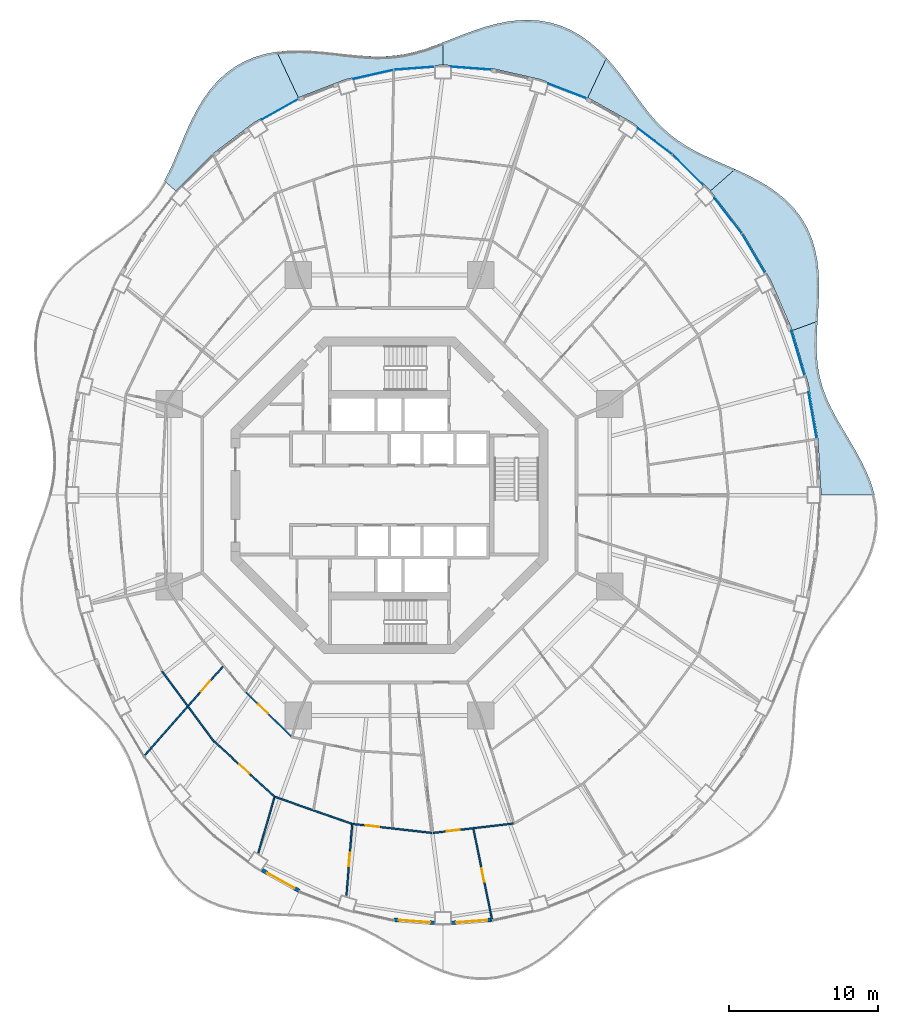
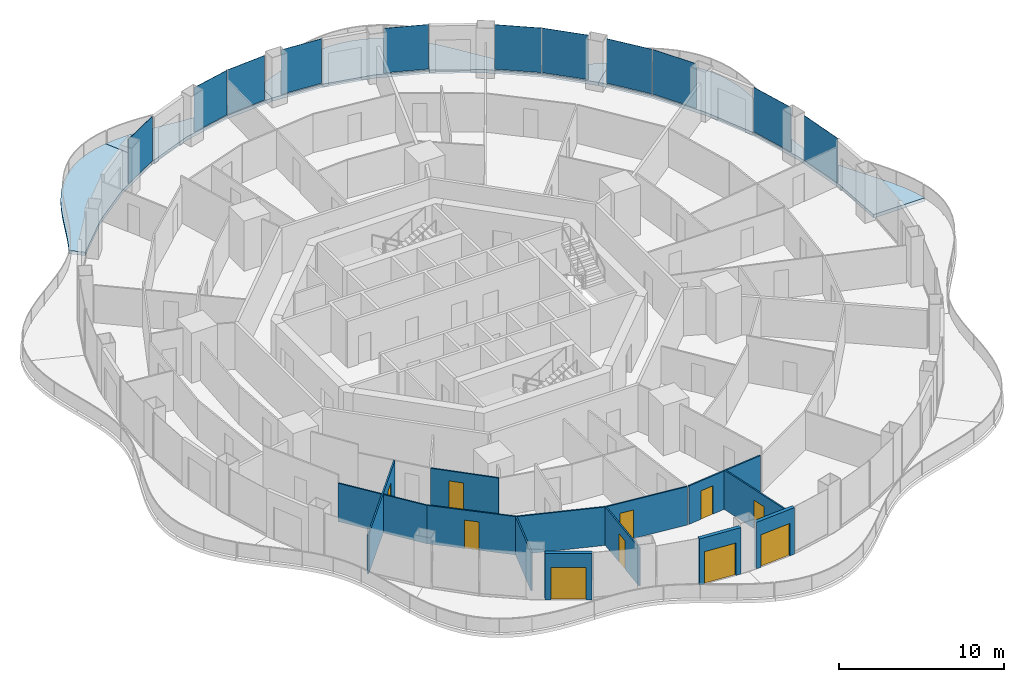
# One storey, part 10 of 19: 13 walls, 11 plates, 10 doors, 6 slabs, 10 openings, 11 elements without a shape of their own.
"""IFC4 building model written with IfcOpenShell, lengths in metres."""

from ifc_helpers import new_model, si_unit, direction, frame, frame_2d, origin, origin_2d, place, context, subcontext, project, spatial, polyline, rectangle, outline, extrude, material, layer, layer_set, type_object, element, fill, aggregate, save


model = new_model("IFC4")

# Units and contexts
model_context = context("Model", 3, precision=1e-05, world=origin(), true_north=direction((0.0, 1.0)))
body_context = subcontext(model_context, "Body", "Model", "MODEL_VIEW")
ifc_project = project(units=[si_unit("LENGTHUNIT", "METRE"), si_unit("AREAUNIT", "SQUARE_METRE"), si_unit("VOLUMEUNIT", "CUBIC_METRE"), si_unit("PLANEANGLEUNIT", "RADIAN"), si_unit("MASSUNIT", "GRAM", prefix="KILO")], contexts=[model_context])

# Site, building, storey
site_placement = place(None, origin())
site = spatial("IfcSite", under=ifc_project, at=site_placement, CompositionType="ELEMENT")
building_placement = place(site_placement, origin())
building = spatial("IfcBuilding", under=site, at=building_placement, Name="Nagisa Residences", CompositionType="ELEMENT")
storey_placement = place(building_placement, frame((0.0, 0.0, 180.699951171875)))
storey = spatial("IfcBuildingStorey", under=building, at=storey_placement, Name="L45", CompositionType="ELEMENT", Elevation=180.699951171875)

# Slabs
ifc_material_1 = material(Name="Concrete C40/50", Category="concrete")
ifc_layer_1 = layer(ifc_material_1, 0.25)
ifc_layer_set_1 = layer_set([ifc_layer_1], Name="BALCONY SLAB 250")
slab_type = type_object("IfcSlabType", Name="BALCONY SLAB 250", PredefinedType="FLOOR", material=ifc_layer_set_1)
slab_1_placement = place(storey_placement, frame((0.0, 0.0, -0.25)))
element("IfcSlab", 1, at=slab_1_placement, inside=storey, type_object=slab_type, Name="slab:L45:bal00", PredefinedType="FLOOR", context=body_context, shape_type="SweptSolid", body=[
    extrude(outline(polyline([(32.568603515625, 0.0), (32.332275390625, 0.77685546875), (32.024658203125, 1.541015625), (31.6611328125, 2.2900390625), (31.260009765625, 3.022216796875), (30.84033203125, 3.738037109375), (30.421630859375, 4.439208984375), (30.02197265625, 5.129150390625), (29.657470703125, 5.8125), (29.34130859375, 6.49462890625), (29.0830078125, 7.181640625), (28.8876953125, 7.879150390625), (28.755859375, 8.592529296875), (28.683837890625, 9.325927734375), (28.663330078125, 10.08203125), (28.682373046875, 10.861328125), (28.726318359375, 11.66259765625), (27.04345703125, 11.050048828125), (28.1103515625, 7.473388671875), (28.7578125, 3.76904296875), (28.97509765625, 0.0), (32.568603515625, 0.0)])), origin(), (0.0, 0.0, 1.0), 0.25),
])
slab_2_placement = place(storey_placement, frame((0.0, 0.0, -0.25)))
element("IfcSlab", 2, at=slab_2_placement, inside=storey, type_object=slab_type, Name="slab:L45:bal01", PredefinedType="FLOOR", context=body_context, shape_type="SweptSolid", body=[
    extrude(outline(polyline([(28.726318359375, 11.66259765625), (28.776123046875, 12.456787109375), (28.81689453125, 13.263427734375), (28.83154296875, 14.075927734375), (28.8046875, 14.885986328125), (28.72216796875, 15.68505859375), (28.572265625, 16.464111328125), (28.346435546875, 17.213623046875), (28.039794921875, 17.92529296875), (27.65087890625, 18.592529296875), (27.181884765625, 19.209716796875), (26.638916015625, 19.77392578125), (26.030517578125, 20.28466796875), (25.36865234375, 20.743896484375), (24.666259765625, 21.156494140625), (23.937744140625, 21.529541015625), (23.197998046875, 21.872314453125), (21.542724609375, 20.417724609375), (23.7314453125, 17.577880859375), (25.575439453125, 14.4375), (27.04345703125, 11.050048828125), (28.726318359375, 11.66259765625)])), origin(), (0.0, 0.0, 1.0), 0.25),
])
slab_3_placement = place(storey_placement, frame((0.0, 0.0, -0.25)))
element("IfcSlab", 3, at=slab_3_placement, inside=storey, type_object=slab_type, Name="slab:L45:bal02", PredefinedType="FLOOR", context=body_context, shape_type="SweptSolid", body=[
    extrude(outline(polyline([(23.197998046875, 21.872314453125), (22.494873046875, 22.1806640625), (21.804931640625, 22.482177734375), (21.137451171875, 22.786865234375), (20.499267578125, 23.10546875), (19.894775390625, 23.447265625), (19.326416015625, 23.820556640625), (18.79345703125, 24.2314453125), (18.292724609375, 24.683837890625), (17.81884765625, 25.178466796875), (17.364990234375, 25.7138671875), (16.922607421875, 26.284912109375), (16.482421875, 26.884521484375), (16.03515625, 27.502685546875), (15.57177734375, 28.12744140625), (15.084228515625, 28.744873046875), (14.56640625, 29.341064453125), (13.310546875, 26.677001953125), (16.28759765625, 25.006591796875), (19.04736328125, 22.907958984375), (21.542724609375, 20.417724609375), (23.197998046875, 21.872314453125)])), origin(), (0.0, 0.0, 1.0), 0.25),
])
slab_4_placement = place(storey_placement, frame((0.0, 0.0, -0.25)))
element("IfcSlab", 4, at=slab_4_placement, inside=storey, type_object=slab_type, Name="slab:L45:bal03", PredefinedType="FLOOR", context=body_context, shape_type="SweptSolid", body=[
    extrude(outline(polyline([(14.56640625, 29.341064453125), (14.033447265625, 29.8818359375), (13.46533203125, 30.376708984375), (12.86083984375, 30.814453125), (12.221435546875, 31.18505859375), (11.549560546875, 31.4814453125), (10.85009765625, 31.6982421875), (10.128173828125, 31.833740234375), (9.390380859375, 31.888671875), (8.642822265625, 31.866943359375), (7.892578125, 31.775390625), (7.145751953125, 31.622802734375), (6.4072265625, 31.421142578125), (5.681640625, 31.1826171875), (4.97119140625, 30.92138671875), (4.277587890625, 30.6513671875), (3.60009765625, 30.38623046875), (3.60009765625, 28.875), (6.912109375, 28.6279296875), (10.16748046875, 27.89111328125), (13.310546875, 26.677001953125), (14.56640625, 29.341064453125)])), origin(), (0.0, 0.0, 1.0), 0.25),
])
slab_5_placement = place(storey_placement, frame((0.0, 0.0, -0.25)))
element("IfcSlab", 5, at=slab_5_placement, inside=storey, type_object=slab_type, Name="slab:L45:bal04", PredefinedType="FLOOR", context=body_context, shape_type="SweptSolid", body=[
    extrude(outline(polyline([(3.60009765625, 30.38623046875), (2.93701171875, 30.13818359375), (2.28515625, 29.91845703125), (1.640869140625, 29.735107421875), (0.998779296875, 29.594482421875), (0.354248046875, 29.49951171875), (-0.2978515625, 29.4501953125), (-0.961669921875, 29.443603515625), (-1.640625, 29.473876953125), (-2.33740234375, 29.53271484375), (-3.05224609375, 29.60986328125), (-3.7841796875, 29.693115234375), (-4.531005859375, 29.76953125), (-5.288330078125, 29.826416015625), (-6.050537109375, 29.8505859375), (-6.81103515625, 29.83056640625), (-7.561767578125, 29.755859375), (-6.110595703125, 26.677001953125), (-2.967529296875, 27.89111328125), (0.287841796875, 28.6279296875), (3.60009765625, 28.875), (3.60009765625, 30.38623046875)])), origin(), (0.0, 0.0, 1.0), 0.25),
])
slab_6_placement = place(storey_placement, frame((0.0, 0.0, -0.25)))
element("IfcSlab", 6, at=slab_6_placement, inside=storey, type_object=slab_type, Name="slab:L45:bal05", PredefinedType="FLOOR", context=body_context, shape_type="SweptSolid", body=[
    extrude(outline(polyline([(-7.561767578125, 29.755859375), (-8.322265625, 29.61181640625), (-9.054931640625, 29.3935546875), (-9.751708984375, 29.09765625), (-10.40576171875, 28.723876953125), (-11.011474609375, 28.275146484375), (-11.5654296875, 27.756591796875), (-12.066650390625, 27.177001953125), (-12.516357421875, 26.54638671875), (-12.91845703125, 25.87646484375), (-13.279052734375, 25.179931640625), (-13.6064453125, 24.46923828125), (-13.91015625, 23.757080078125), (-14.200927734375, 23.054443359375), (-14.490478515625, 22.371337890625), (-14.789794921875, 21.715087890625), (-15.109619140625, 21.091552734375), (-14.3427734375, 20.417724609375), (-11.847412109375, 22.907958984375), (-9.08740234375, 25.006591796875), (-6.110595703125, 26.677001953125), (-7.561767578125, 29.755859375)])), origin(), (0.0, 0.0, 1.0), 0.25),
])

# Curtain wall, plate
ifc_material_2 = material(Name="Concrete-coloured aluminium curtain wall system", Category="concrete")
ifc_layer_2 = layer(ifc_material_2, 0.159912109375)
ifc_layer_set_2 = layer_set([ifc_layer_2], Name="CW1 CURTAIN WALL")
curtain_wall_type = type_object("IfcCurtainWallType", Name="CW1 CURTAIN WALL", PredefinedType="NOTDEFINED", material=ifc_layer_set_2)
curtain_wall_1_placement = place(storey_placement, origin())
curtain_wall_1 = element("IfcCurtainWall", 7, at=curtain_wall_1_placement, inside=storey, type_object=curtain_wall_type, Name="cw:CW1:L45:01", PredefinedType="NOTDEFINED")
ifc_material_3 = material(Name="Clear laminated glass", Category="glass")
ifc_layer_3 = layer(ifc_material_3, 0.028076171875)
ifc_layer_set_3 = layer_set([ifc_layer_3], Name="CW1 GLASS PANEL")
plate_type = type_object("IfcPlateType", Name="CW1 GLASS PANEL", PredefinedType="CURTAIN_PANEL", material=ifc_layer_set_3)
plate_1_placement = place(storey_placement, frame((28.3974609375, 5.365966796875, 0.150146484375), z_axis=(0.0, 0.0, 1.0), x_axis=(-0.172190868898, 0.985063604377, 0.0)))
plate_1 = element("IfcPlate", 8, at=plate_1_placement, type_object=plate_type, Name="CW1 panel", PredefinedType="CURTAIN_PANEL", context=body_context, shape_type="SweptSolid", body=[
    extrude(rectangle(XDim=3.150634765625, YDim=0.028076171875, at=origin_2d()), origin(), (0.0, 0.0, 1.0), 3.2900390625),
])
aggregate(curtain_wall_1, [plate_1])

curtain_wall_2_placement = place(storey_placement, origin())
curtain_wall_2 = element("IfcCurtainWall", 9, at=curtain_wall_2_placement, inside=storey, type_object=curtain_wall_type, Name="cw:CW1:L45:02", PredefinedType="NOTDEFINED")
plate_2_placement = place(storey_placement, frame((27.4130859375, 9.531005859375, 0.150146484375), z_axis=(0.0, 0.0, 1.0), x_axis=(-0.285860274038, 0.958271310082, 0.0)))
plate_2 = element("IfcPlate", 10, at=plate_2_placement, type_object=plate_type, Name="CW1 panel", PredefinedType="CURTAIN_PANEL", context=body_context, shape_type="SweptSolid", body=[
    extrude(rectangle(XDim=3.122314453125, YDim=0.028076171875, at=origin_2d()), origin(), (0.0, 0.0, 1.0), 3.2900390625),
])
aggregate(curtain_wall_2, [plate_2])

curtain_wall_3_placement = place(storey_placement, origin())
curtain_wall_3 = element("IfcCurtainWall", 11, at=curtain_wall_3_placement, inside=storey, type_object=curtain_wall_type, Name="cw:CW1:L45:04", PredefinedType="NOTDEFINED")
plate_3_placement = place(storey_placement, frame((24.429931640625, 16.230224609375, 0.150146484375), z_axis=(0.0, 0.0, 1.0), x_axis=(-0.506348567002, 0.862328898214, 0.0)))
plate_3 = element("IfcPlate", 12, at=plate_3_placement, type_object=plate_type, Name="CW1 panel", PredefinedType="CURTAIN_PANEL", context=body_context, shape_type="SweptSolid", body=[
    extrude(rectangle(XDim=3.031982421875, YDim=0.028076171875, at=origin_2d()), origin(), (0.0, 0.0, 1.0), 3.2900390625),
])
aggregate(curtain_wall_3, [plate_3])

curtain_wall_4_placement = place(storey_placement, origin())
curtain_wall_4 = element("IfcCurtainWall", 13, at=curtain_wall_4_placement, inside=storey, type_object=curtain_wall_type, Name="cw:CW1:L45:05", PredefinedType="NOTDEFINED")
plate_4_placement = place(storey_placement, frame((22.723388671875, 18.7548828125, 0.150146484375), z_axis=(0.0, 0.0, 1.0), x_axis=(-0.610429828235, 0.792070340816, 0.0)))
plate_4 = element("IfcPlate", 14, at=plate_4_placement, type_object=plate_type, Name="CW1 panel", PredefinedType="CURTAIN_PANEL", context=body_context, shape_type="SweptSolid", body=[
    extrude(rectangle(XDim=2.97509765625, YDim=0.028076171875, at=origin_2d()), origin(), (0.0, 0.0, 1.0), 3.2900390625),
])
aggregate(curtain_wall_4, [plate_4])

curtain_wall_5_placement = place(storey_placement, origin())
curtain_wall_5 = element("IfcCurtainWall", 15, at=curtain_wall_5_placement, inside=storey, type_object=curtain_wall_type, Name="cw:CW1:L45:06", PredefinedType="NOTDEFINED")
plate_5_placement = place(storey_placement, frame((20.022705078125, 21.82177734375, 0.150146484375), z_axis=(0.0, 0.0, 1.0), x_axis=(-0.707835924016, 0.706376885714, 0.0)))
plate_5 = element("IfcPlate", 16, at=plate_5_placement, type_object=plate_type, Name="CW1 panel", PredefinedType="CURTAIN_PANEL", context=body_context, shape_type="SweptSolid", body=[
    extrude(rectangle(XDim=2.91552734375, YDim=0.028076171875, at=origin_2d()), origin(), (0.0, 0.0, 1.0), 3.2900390625),
])
aggregate(curtain_wall_5, [plate_5])

curtain_wall_6_placement = place(storey_placement, origin())
curtain_wall_6 = element("IfcCurtainWall", 17, at=curtain_wall_6_placement, inside=storey, type_object=curtain_wall_type, Name="cw:CW1:L45:07", PredefinedType="NOTDEFINED")
plate_6_placement = place(storey_placement, frame((17.81396484375, 23.745361328125, 0.150146484375), z_axis=(0.0, 0.0, 1.0), x_axis=(-0.79603132756, 0.605255421737, 0.0)))
plate_6 = element("IfcPlate", 18, at=plate_6_placement, type_object=plate_type, Name="CW1 panel", PredefinedType="CURTAIN_PANEL", context=body_context, shape_type="SweptSolid", body=[
    extrude(rectangle(XDim=2.85693359375, YDim=0.028076171875, at=origin_2d()), origin(), (0.0, 0.0, 1.0), 3.2900390625),
])
aggregate(curtain_wall_6, [plate_6])

curtain_wall_7_placement = place(storey_placement, origin())
curtain_wall_7 = element("IfcCurtainWall", 19, at=curtain_wall_7_placement, inside=storey, type_object=curtain_wall_type, Name="cw:CW1:L45:09", PredefinedType="NOTDEFINED")
plate_7_placement = place(storey_placement, frame((11.938720703125, 27.12109375, 0.150146484375), z_axis=(0.0, 0.0, 1.0), x_axis=(-0.932825759707, 0.360327770268, 0.0)))
plate_7 = element("IfcPlate", 20, at=plate_7_placement, type_object=plate_type, Name="CW1 panel", PredefinedType="CURTAIN_PANEL", context=body_context, shape_type="SweptSolid", body=[
    extrude(rectangle(XDim=2.75927734375, YDim=0.028076171875, at=origin_2d()), origin(), (0.0, 0.0, 1.0), 3.2900390625),
])
aggregate(curtain_wall_7, [plate_7])

curtain_wall_8_placement = place(storey_placement, origin())
curtain_wall_8 = element("IfcCurtainWall", 21, at=curtain_wall_8_placement, inside=storey, type_object=curtain_wall_type, Name="cw:CW1:L45:11", PredefinedType="NOTDEFINED")
plate_8_placement = place(storey_placement, frame((5.494384765625, 28.653564453125, 0.150146484375), z_axis=(0.0, 0.0, 1.0), x_axis=(-0.997230168512, 0.074377355493, 0.0)))
plate_8 = element("IfcPlate", 22, at=plate_8_placement, type_object=plate_type, Name="CW1 panel", PredefinedType="CURTAIN_PANEL", context=body_context, shape_type="SweptSolid", body=[
    extrude(rectangle(XDim=2.711181640625, YDim=0.028076171875, at=origin_2d()), origin(), (0.0, 0.0, 1.0), 3.2900390625),
])
aggregate(curtain_wall_8, [plate_8])

curtain_wall_9_placement = place(storey_placement, origin())
curtain_wall_9 = element("IfcCurtainWall", 23, at=curtain_wall_9_placement, inside=storey, type_object=curtain_wall_type, Name="cw:CW1:L45:12", PredefinedType="NOTDEFINED")
plate_9_placement = place(storey_placement, frame((1.645751953125, 28.64892578125, 0.150146484375), z_axis=(0.0, 0.0, 1.0), x_axis=(-0.997230168512, -0.074377355493, 0.0)))
plate_9 = element("IfcPlate", 24, at=plate_9_placement, type_object=plate_type, Name="CW1 panel", PredefinedType="CURTAIN_PANEL", context=body_context, shape_type="SweptSolid", body=[
    extrude(rectangle(XDim=2.711181640625, YDim=0.028076171875, at=origin_2d()), origin(), (0.0, 0.0, 1.0), 3.2900390625),
])
aggregate(curtain_wall_9, [plate_9])

curtain_wall_10_placement = place(storey_placement, origin())
curtain_wall_10 = element("IfcCurtainWall", 25, at=curtain_wall_10_placement, inside=storey, type_object=curtain_wall_type, Name="cw:CW1:L45:13", PredefinedType="NOTDEFINED")
plate_10_placement = place(storey_placement, frame((-1.083251953125, 28.235595703125, 0.150146484375), z_axis=(0.0, 0.0, 1.0), x_axis=(-0.975327274089, -0.2207639201, 0.0)))
plate_10 = element("IfcPlate", 26, at=plate_10_placement, type_object=plate_type, Name="CW1 panel", PredefinedType="CURTAIN_PANEL", context=body_context, shape_type="SweptSolid", body=[
    extrude(rectangle(XDim=2.727783203125, YDim=0.028076171875, at=origin_2d()), origin(), (0.0, 0.0, 1.0), 3.2900390625),
])
aggregate(curtain_wall_10, [plate_10])

curtain_wall_11_placement = place(storey_placement, origin())
curtain_wall_11 = element("IfcCurtainWall", 27, at=curtain_wall_11_placement, inside=storey, type_object=curtain_wall_type, Name="cw:CW1:L45:15", PredefinedType="NOTDEFINED")
plate_11_placement = place(storey_placement, frame((-7.34619140625, 25.891845703125, 0.150146484375), z_axis=(0.0, 0.0, 1.0), x_axis=(-0.872072377523, -0.489376918501, 0.0)))
plate_11 = element("IfcPlate", 28, at=plate_11_placement, type_object=plate_type, Name="CW1 panel", PredefinedType="CURTAIN_PANEL", context=body_context, shape_type="SweptSolid", body=[
    extrude(rectangle(XDim=2.8037109375, YDim=0.028076171875, at=origin_2d()), origin(), (0.0, 0.0, 1.0), 3.2900390625),
])
aggregate(curtain_wall_11, [plate_11])

# Wall
ifc_material_4 = material(Name="Gypsum board on steel studs", Category="steel")
ifc_layer_4 = layer(ifc_material_4, 0.10009765625)
ifc_layer_set_4 = layer_set([ifc_layer_4], Name="Apartment partition 100")
wall_type_1 = type_object("IfcWallType", Name="Apartment partition 100", PredefinedType="PARTITIONING", material=ifc_layer_set_4)
wall_1_placement = place(storey_placement, frame((-15.264892578125, -11.821044921875, 0.0), z_axis=(0.0, 0.0, 1.0), x_axis=(0.594711348772, -0.803939308432, 0.0)))
element("IfcWall", 29, at=wall_1_placement, inside=storey, type_object=wall_type_1, Name="wall:L45:u59", PredefinedType="PARTITIONING", context=body_context, shape_type="SweptSolid", body=[
    extrude(rectangle(XDim=5.87158203125, YDim=0.10009765625, at=frame_2d((2.935791015625, 0.0))), origin(), (0.0, 0.0, 1.0), 2.837158203125),
])

# Wall, opening, door
wall_2_placement = place(storey_placement, frame((-11.16015625, -11.485107421875, 0.0), z_axis=(0.0, 0.0, 1.0), x_axis=(-0.661275898802, -0.750142776852, 0.0)))
wall_2 = element("IfcWall", 30, at=wall_2_placement, inside=storey, type_object=wall_type_1, Name="wall:L45:u60", PredefinedType="PARTITIONING", context=body_context, shape_type="SweptSolid", body=[
    extrude(rectangle(XDim=8.08251953125, YDim=0.10009765625, at=frame_2d((4.041259765625, 0.0))), origin(), (0.0, 0.0, 1.0), 2.905029296875),
])
opening_1_placement = place(wall_2_placement, frame((1.34130859375, 0.0, 0.0)))
opening_1 = element("IfcOpeningElement", 31, at=opening_1_placement, cuts=wall_2, Name="Opening L45-U34", PredefinedType="OPENING", context=body_context, shape_type="SweptSolid", body=[
    extrude(rectangle(XDim=0.89990234375, YDim=2.10009765625, at=frame_2d((0.449951171875, 1.050048828125))), frame((0.0, 0.06005859375, 0.0), z_axis=(0.0, -1.0, 0.0), x_axis=(1.0, 0.0, 0.0)), (0.0, 0.0, 1.0), 0.1201171875),
])
ifc_material_5 = material(Name="Timber door set", Category="wood")
door_type_1 = type_object("IfcDoorType", Name="Apartment door 900x2100", OperationType="NOTDEFINED", PredefinedType="DOOR", material=ifc_material_5)
door_1_placement = place(opening_1_placement, frame((0.89990234375, 0.0, 0.0), x_axis=(-1.0, 0.0, 0.0)))
door_1 = element("IfcDoor", 32, at=door_1_placement, inside=storey, type_object=door_type_1, Name="Door to dining room, Apartment 45B", OperationType="SINGLE_SWING_LEFT", OverallHeight=2.10009765625, OverallWidth=0.89990234375, PredefinedType="DOOR", context=body_context, shape_type="SweptSolid", body=[
    extrude(rectangle(XDim=0.89990234375, YDim=2.10009765625, at=frame_2d((0.449951171875, 1.050048828125))), frame((0.0, 0.02490234375, 0.0), z_axis=(0.0, -1.0, 0.0), x_axis=(1.0, 0.0, 0.0)), (0.0, 0.0, 1.0), 0.050048828125),
])
fill(opening_1, door_1)

wall_3_placement = place(storey_placement, frame((-9.62744140625, -13.238037109375, 0.0), z_axis=(0.0, 0.0, 1.0), x_axis=(0.716946269374, -0.697128429223, 0.0)))
wall_3 = element("IfcWall", 33, at=wall_3_placement, inside=storey, type_object=wall_type_1, Name="wall:L45:u62", PredefinedType="PARTITIONING", context=body_context, shape_type="SweptSolid", body=[
    extrude(rectangle(XDim=4.250244140625, YDim=0.10009765625, at=frame_2d((2.125, 0.0))), origin(), (0.0, 0.0, 1.0), 2.837158203125),
])
opening_2_placement = place(wall_3_placement, frame((1.14501953125, 0.0, 0.0)))
opening_2 = element("IfcOpeningElement", 34, at=opening_2_placement, cuts=wall_3, Name="Opening L45-U33", PredefinedType="OPENING", context=body_context, shape_type="SweptSolid", body=[
    extrude(rectangle(XDim=0.89990234375, YDim=2.10009765625, at=frame_2d((0.449951171875, 1.050048828125))), frame((0.0, 0.06005859375, 0.0), z_axis=(0.0, -1.0, 0.0), x_axis=(1.0, 0.0, 0.0)), (0.0, 0.0, 1.0), 0.1201171875),
])
door_2_placement = place(opening_2_placement, origin())
door_2 = element("IfcDoor", 35, at=door_2_placement, inside=storey, type_object=door_type_1, Name="Door to laundry, Apartment 45B", OperationType="SINGLE_SWING_LEFT", OverallHeight=2.10009765625, OverallWidth=0.89990234375, PredefinedType="DOOR", context=body_context, shape_type="SweptSolid", body=[
    extrude(rectangle(XDim=0.89990234375, YDim=2.10009765625, at=frame_2d((0.449951171875, 1.050048828125))), frame((0.0, 0.02490234375, 0.0), z_axis=(0.0, -1.0, 0.0), x_axis=(1.0, 0.0, 0.0)), (0.0, 0.0, 1.0), 0.050048828125),
])
fill(opening_2, door_2)

wall_4_placement = place(storey_placement, frame((-11.765625, -16.534912109375, 0.0), z_axis=(0.0, 0.0, 1.0), x_axis=(0.738053852169, -0.674741810842, 0.0)))
wall_4 = element("IfcWall", 36, at=wall_4_placement, inside=storey, type_object=wall_type_1, Name="wall:L45:u63", PredefinedType="PARTITIONING", context=body_context, shape_type="SweptSolid", body=[
    extrude(rectangle(XDim=5.549072265625, YDim=0.10009765625, at=frame_2d((2.7744140625, 0.0))), origin(), (0.0, 0.0, 1.0), 2.837158203125),
])
opening_3_placement = place(wall_4_placement, frame((2.299560546875, 0.0, 0.0)))
opening_3 = element("IfcOpeningElement", 37, at=opening_3_placement, cuts=wall_4, Name="Opening L45-U31", PredefinedType="OPENING", context=body_context, shape_type="SweptSolid", body=[
    extrude(rectangle(XDim=0.89990234375, YDim=2.10009765625, at=frame_2d((0.449951171875, 1.050048828125))), frame((0.0, 0.06005859375, 0.0), z_axis=(0.0, -1.0, 0.0), x_axis=(1.0, 0.0, 0.0)), (0.0, 0.0, 1.0), 0.1201171875),
])
door_3_placement = place(opening_3_placement, frame((0.89990234375, 0.0, 0.0), x_axis=(-1.0, 0.0, 0.0)))
door_3 = element("IfcDoor", 38, at=door_3_placement, inside=storey, type_object=door_type_1, Name="Door to kitchen, Apartment 45B", OperationType="SINGLE_SWING_RIGHT", OverallHeight=2.10009765625, OverallWidth=0.89990234375, PredefinedType="DOOR", context=body_context, shape_type="SweptSolid", body=[
    extrude(rectangle(XDim=0.89990234375, YDim=2.10009765625, at=frame_2d((0.449951171875, 1.050048828125))), frame((0.0, 0.02490234375, 0.0), z_axis=(0.0, -1.0, 0.0), x_axis=(1.0, 0.0, 0.0)), (0.0, 0.0, 1.0), 0.050048828125),
])
fill(opening_3, door_3)

# Walls
wall_5_placement = place(storey_placement, frame((-7.720947265625, -20.293212890625, 0.0), z_axis=(0.0, 0.0, 1.0), x_axis=(-0.278445616281, -0.960451997121, 0.0)))
element("IfcWall", 39, at=wall_5_placement, inside=storey, type_object=wall_type_1, Name="wall:L45:u67", PredefinedType="PARTITIONING", context=body_context, shape_type="SweptSolid", body=[
    extrude(rectangle(XDim=3.885009765625, YDim=0.10009765625, at=frame_2d((1.9423828125, 0.0))), origin(), (0.0, 0.0, 1.0), 2.837158203125),
])
wall_6_placement = place(storey_placement, frame((-7.659912109375, -20.26171875, 0.0), z_axis=(0.0, 0.0, 1.0), x_axis=(0.943911038661, -0.330199865375, 0.0)))
element("IfcWall", 40, at=wall_6_placement, inside=storey, type_object=wall_type_1, Name="wall:L45:u68", PredefinedType="PARTITIONING", context=body_context, shape_type="SweptSolid", body=[
    extrude(rectangle(XDim=5.41748046875, YDim=0.10009765625, at=frame_2d((2.708740234375, 0.0))), origin(), (0.0, 0.0, 1.0), 2.837158203125),
])

# Wall, opening, door
wall_7_placement = place(storey_placement, frame((-2.4951171875, -22.017333984375, 0.0), z_axis=(0.0, 0.0, 1.0), x_axis=(-0.080150660566, -0.99678276049, 0.0)))
wall_7 = element("IfcWall", 41, at=wall_7_placement, inside=storey, type_object=wall_type_1, Name="wall:L45:u71", PredefinedType="PARTITIONING", context=body_context, shape_type="SweptSolid", body=[
    extrude(rectangle(XDim=4.8583984375, YDim=0.10009765625, at=frame_2d((2.42919921875, 0.0))), origin(), (0.0, 0.0, 1.0), 2.837158203125),
])
opening_4_placement = place(wall_7_placement, frame((2.004150390625, 0.0, 0.0)))
opening_4 = element("IfcOpeningElement", 42, at=opening_4_placement, cuts=wall_7, Name="Opening L45-U28", PredefinedType="OPENING", context=body_context, shape_type="SweptSolid", body=[
    extrude(rectangle(XDim=0.89990234375, YDim=2.10009765625, at=frame_2d((0.449951171875, 1.050048828125))), frame((0.0, 0.06005859375, 0.0), z_axis=(0.0, -1.0, 0.0), x_axis=(1.0, 0.0, 0.0)), (0.0, 0.0, 1.0), 0.1201171875),
])
door_4_placement = place(opening_4_placement, frame((0.89990234375, 0.0, 0.0), x_axis=(-1.0, 0.0, 0.0)))
door_4 = element("IfcDoor", 43, at=door_4_placement, inside=storey, type_object=door_type_1, Name="Door to bedroom, Apartment 45B", OperationType="SINGLE_SWING_LEFT", OverallHeight=2.10009765625, OverallWidth=0.89990234375, PredefinedType="DOOR", context=body_context, shape_type="SweptSolid", body=[
    extrude(rectangle(XDim=0.89990234375, YDim=2.10009765625, at=frame_2d((0.449951171875, 1.050048828125))), frame((0.0, 0.02490234375, 0.0), z_axis=(0.0, -1.0, 0.0), x_axis=(1.0, 0.0, 0.0)), (0.0, 0.0, 1.0), 0.050048828125),
])
fill(opening_4, door_4)

wall_8_placement = place(storey_placement, frame((-2.449462890625, -22.07275390625, 0.0), z_axis=(0.0, 0.0, 1.0), x_axis=(0.993660315081, -0.112424099879, 0.0)))
wall_8 = element("IfcWall", 44, at=wall_8_placement, inside=storey, type_object=wall_type_1, Name="wall:L45:u72", PredefinedType="PARTITIONING", context=body_context, shape_type="SweptSolid", body=[
    extrude(rectangle(XDim=5.32470703125, YDim=0.10009765625, at=frame_2d((2.662353515625, 0.0))), origin(), (0.0, 0.0, 1.0), 2.837158203125),
])
opening_5_placement = place(wall_8_placement, frame((0.881103515625, 0.0, 0.0)))
opening_5 = element("IfcOpeningElement", 45, at=opening_5_placement, cuts=wall_8, Name="Opening L45-U27", PredefinedType="OPENING", context=body_context, shape_type="SweptSolid", body=[
    extrude(rectangle(XDim=0.89990234375, YDim=2.10009765625, at=frame_2d((0.449951171875, 1.050048828125))), frame((0.0, 0.06005859375, 0.0), z_axis=(0.0, -1.0, 0.0), x_axis=(1.0, 0.0, 0.0)), (0.0, 0.0, 1.0), 0.1201171875),
])
door_5_placement = place(opening_5_placement, origin())
door_5 = element("IfcDoor", 46, at=door_5_placement, inside=storey, type_object=door_type_1, Name="Door to family room, Apartment 45B", OperationType="SINGLE_SWING_LEFT", OverallHeight=2.10009765625, OverallWidth=0.89990234375, PredefinedType="DOOR", context=body_context, shape_type="SweptSolid", body=[
    extrude(rectangle(XDim=0.89990234375, YDim=2.10009765625, at=frame_2d((0.449951171875, 1.050048828125))), frame((0.0, 0.02490234375, 0.0), z_axis=(0.0, -1.0, 0.0), x_axis=(1.0, 0.0, 0.0)), (0.0, 0.0, 1.0), 0.050048828125),
])
fill(opening_5, door_5)

wall_9_placement = place(storey_placement, frame((2.94091796875, -22.67138671875, 0.0), z_axis=(0.0, 0.0, 1.0), x_axis=(0.993245806382, 0.1160291692, 0.0)))
wall_9 = element("IfcWall", 47, at=wall_9_placement, inside=storey, type_object=wall_type_1, Name="wall:L45:u75", PredefinedType="PARTITIONING", context=body_context, shape_type="SweptSolid", body=[
    extrude(rectangle(XDim=5.40771484375, YDim=0.10009765625, at=frame_2d((2.703857421875, 0.0))), origin(), (0.0, 0.0, 1.0), 2.837158203125),
])
opening_6_placement = place(wall_9_placement, frame((0.90185546875, 0.0, 0.0)))
opening_6 = element("IfcOpeningElement", 48, at=opening_6_placement, cuts=wall_9, Name="Opening L45-U24", PredefinedType="OPENING", context=body_context, shape_type="SweptSolid", body=[
    extrude(rectangle(XDim=0.89990234375, YDim=2.10009765625, at=frame_2d((0.449951171875, 1.050048828125))), frame((0.0, 0.06005859375, 0.0), z_axis=(0.0, -1.0, 0.0), x_axis=(1.0, 0.0, 0.0)), (0.0, 0.0, 1.0), 0.1201171875),
])
door_6_placement = place(opening_6_placement, frame((0.89990234375, 0.0, 0.0), x_axis=(-1.0, 0.0, 0.0)))
door_6 = element("IfcDoor", 49, at=door_6_placement, inside=storey, type_object=door_type_1, Name="Door to living room, Apartment 45B", OperationType="SINGLE_SWING_LEFT", OverallHeight=2.10009765625, OverallWidth=0.89990234375, PredefinedType="DOOR", context=body_context, shape_type="SweptSolid", body=[
    extrude(rectangle(XDim=0.89990234375, YDim=2.10009765625, at=frame_2d((0.449951171875, 1.050048828125))), frame((0.0, 0.02490234375, 0.0), z_axis=(0.0, -1.0, 0.0), x_axis=(1.0, 0.0, 0.0)), (0.0, 0.0, 1.0), 0.050048828125),
])
fill(opening_6, door_6)

wall_10_placement = place(storey_placement, frame((5.636474609375, -22.40673828125, 0.0), z_axis=(0.0, 0.0, 1.0), x_axis=(0.200860375092, -0.979619880218, 0.0)))
wall_10 = element("IfcWall", 50, at=wall_10_placement, inside=storey, type_object=wall_type_1, Name="wall:L45:u76", PredefinedType="PARTITIONING", context=body_context, shape_type="SweptSolid", body=[
    extrude(rectangle(XDim=6.310791015625, YDim=0.10009765625, at=frame_2d((3.1552734375, 0.0))), origin(), (0.0, 0.0, 1.0), 2.905029296875),
])
opening_7_placement = place(wall_10_placement, frame((2.705322265625, 0.0, 0.0)))
opening_7 = element("IfcOpeningElement", 51, at=opening_7_placement, cuts=wall_10, Name="Opening L45-U25", PredefinedType="OPENING", context=body_context, shape_type="SweptSolid", body=[
    extrude(rectangle(XDim=0.89990234375, YDim=2.10009765625, at=frame_2d((0.449951171875, 1.050048828125))), frame((0.0, 0.06005859375, 0.0), z_axis=(0.0, -1.0, 0.0), x_axis=(1.0, 0.0, 0.0)), (0.0, 0.0, 1.0), 0.1201171875),
])
door_7_placement = place(opening_7_placement, origin())
door_7 = element("IfcDoor", 52, at=door_7_placement, inside=storey, type_object=door_type_1, Name="Door to master bedroom, Apartment 45B", OperationType="SINGLE_SWING_LEFT", OverallHeight=2.10009765625, OverallWidth=0.89990234375, PredefinedType="DOOR", context=body_context, shape_type="SweptSolid", body=[
    extrude(rectangle(XDim=0.89990234375, YDim=2.10009765625, at=frame_2d((0.449951171875, 1.050048828125))), frame((0.0, 0.02490234375, 0.0), z_axis=(0.0, -1.0, 0.0), x_axis=(1.0, 0.0, 0.0)), (0.0, 0.0, 1.0), 0.050048828125),
])
fill(opening_7, door_7)

ifc_material_6 = material(Name="Precast concrete C40/50", Category="concrete")
ifc_layer_5 = layer(ifc_material_6, 0.25)
ifc_layer_set_5 = layer_set([ifc_layer_5], Name="BALCONY DOOR WALL 250")
wall_type_2 = type_object("IfcWallType", Name="BALCONY DOOR WALL 250", PredefinedType="SOLIDWALL", material=ifc_layer_set_5)
wall_11_placement = place(storey_placement, frame((-6.04931640625, -26.568115234375, 0.0), z_axis=(0.0, 0.0, 1.0), x_axis=(-0.872078262455, 0.489366431371, 0.0)))
wall_11 = element("IfcWall", 53, at=wall_11_placement, inside=storey, type_object=wall_type_2, Name="wall:L45:bay32", PredefinedType="SOLIDWALL", context=body_context, shape_type="SweptSolid", body=[
    extrude(rectangle(XDim=2.863525390625, YDim=0.25, at=frame_2d((1.431640625, 0.0))), origin(), (0.0, 0.0, 1.0), 3.43994140625),
])
opening_8_placement = place(wall_11_placement, frame((0.3818359375, 0.0, 0.0)))
opening_8 = element("IfcOpeningElement", 54, at=opening_8_placement, cuts=wall_11, Name="Opening BD-L45-11", PredefinedType="OPENING", context=body_context, shape_type="SweptSolid", body=[
    extrude(rectangle(XDim=2.10009765625, YDim=2.39990234375, at=frame_2d((1.050048828125, 1.199951171875))), frame((0.0, 0.135009765625, 0.0), z_axis=(0.0, -1.0, 0.0), x_axis=(1.0, 0.0, 0.0)), (0.0, 0.0, 1.0), 0.27001953125),
])
ifc_material_7 = material(Name="Aluminium and clear glass", Category="aluminium")
door_type_2 = type_object("IfcDoorType", Name="BALCONY SLIDING DOOR 2100x2400", OperationType="SLIDING_TO_LEFT", PredefinedType="DOOR", material=ifc_material_7)
door_8_placement = place(opening_8_placement, origin())
door_8 = element("IfcDoor", 55, at=door_8_placement, inside=storey, type_object=door_type_2, Name="door:L45:bay32", OperationType="SLIDING_TO_LEFT", OverallHeight=2.39990234375, OverallWidth=2.10009765625, PredefinedType="DOOR", context=body_context, shape_type="SweptSolid", body=[
    extrude(rectangle(XDim=2.10009765625, YDim=2.39990234375, at=frame_2d((1.050048828125, 1.199951171875))), frame((0.0, 0.02490234375, 0.0), z_axis=(0.0, -1.0, 0.0), x_axis=(1.0, 0.0, 0.0)), (0.0, 0.0, 1.0), 0.050048828125),
])
fill(opening_8, door_8)

wall_12_placement = place(storey_placement, frame((3.060791015625, -28.70947265625, 0.0), z_axis=(0.0, 0.0, 1.0), x_axis=(-0.997232064422, 0.074351931305, 0.0)))
wall_12 = element("IfcWall", 56, at=wall_12_placement, inside=storey, type_object=wall_type_2, Name="wall:L45:bay35", PredefinedType="SOLIDWALL", context=body_context, shape_type="SweptSolid", body=[
    extrude(rectangle(XDim=2.771240234375, YDim=0.25, at=frame_2d((1.3857421875, 0.0))), origin(), (0.0, 0.0, 1.0), 3.43994140625),
])
opening_9_placement = place(wall_12_placement, frame((0.335693359375, 0.0, 0.0)))
opening_9 = element("IfcOpeningElement", 57, at=opening_9_placement, cuts=wall_12, Name="Opening BD-L45-12", PredefinedType="OPENING", context=body_context, shape_type="SweptSolid", body=[
    extrude(rectangle(XDim=2.10009765625, YDim=2.39990234375, at=frame_2d((1.050048828125, 1.199951171875))), frame((0.0, 0.135009765625, 0.0), z_axis=(0.0, -1.0, 0.0), x_axis=(1.0, 0.0, 0.0)), (0.0, 0.0, 1.0), 0.27001953125),
])
door_9_placement = place(opening_9_placement, origin())
door_9 = element("IfcDoor", 58, at=door_9_placement, inside=storey, type_object=door_type_2, Name="door:L45:bay35", OperationType="SLIDING_TO_LEFT", OverallHeight=2.39990234375, OverallWidth=2.10009765625, PredefinedType="DOOR", context=body_context, shape_type="SweptSolid", body=[
    extrude(rectangle(XDim=2.10009765625, YDim=2.39990234375, at=frame_2d((1.050048828125, 1.199951171875))), frame((0.0, 0.02490234375, 0.0), z_axis=(0.0, -1.0, 0.0), x_axis=(1.0, 0.0, 0.0)), (0.0, 0.0, 1.0), 0.050048828125),
])
fill(opening_9, door_9)

wall_13_placement = place(storey_placement, frame((6.90283203125, -28.50341796875, 0.0), z_axis=(0.0, 0.0, 1.0), x_axis=(-0.997232064422, -0.074351931305, 0.0)))
wall_13 = element("IfcWall", 59, at=wall_13_placement, inside=storey, type_object=wall_type_2, Name="wall:L45:bay36", PredefinedType="SOLIDWALL", context=body_context, shape_type="SweptSolid", body=[
    extrude(rectangle(XDim=2.771240234375, YDim=0.25, at=frame_2d((1.3857421875, 0.0))), origin(), (0.0, 0.0, 1.0), 3.43994140625),
])
opening_10_placement = place(wall_13_placement, frame((0.335693359375, 0.0, 0.0)))
opening_10 = element("IfcOpeningElement", 60, at=opening_10_placement, cuts=wall_13, Name="Opening BD-L45-13", PredefinedType="OPENING", context=body_context, shape_type="SweptSolid", body=[
    extrude(rectangle(XDim=2.10009765625, YDim=2.39990234375, at=frame_2d((1.050048828125, 1.199951171875))), frame((0.0, 0.135009765625, 0.0), z_axis=(0.0, -1.0, 0.0), x_axis=(1.0, 0.0, 0.0)), (0.0, 0.0, 1.0), 0.27001953125),
])
door_10_placement = place(opening_10_placement, origin())
door_10 = element("IfcDoor", 61, at=door_10_placement, inside=storey, type_object=door_type_2, Name="door:L45:bay36", OperationType="SLIDING_TO_LEFT", OverallHeight=2.39990234375, OverallWidth=2.10009765625, PredefinedType="DOOR", context=body_context, shape_type="SweptSolid", body=[
    extrude(rectangle(XDim=2.10009765625, YDim=2.39990234375, at=frame_2d((1.050048828125, 1.199951171875))), frame((0.0, 0.02490234375, 0.0), z_axis=(0.0, -1.0, 0.0), x_axis=(1.0, 0.0, 0.0)), (0.0, 0.0, 1.0), 0.050048828125),
])
fill(opening_10, door_10)

save(model, "model.ifc")
